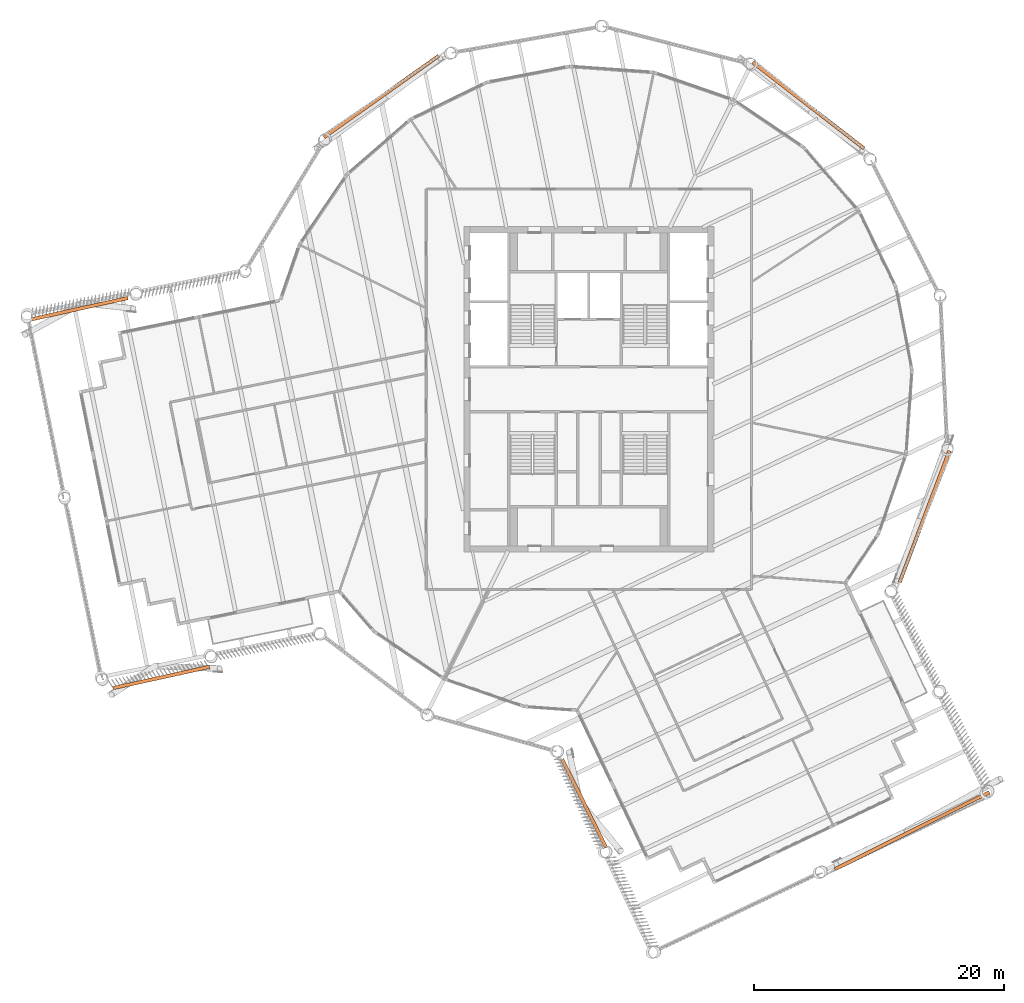
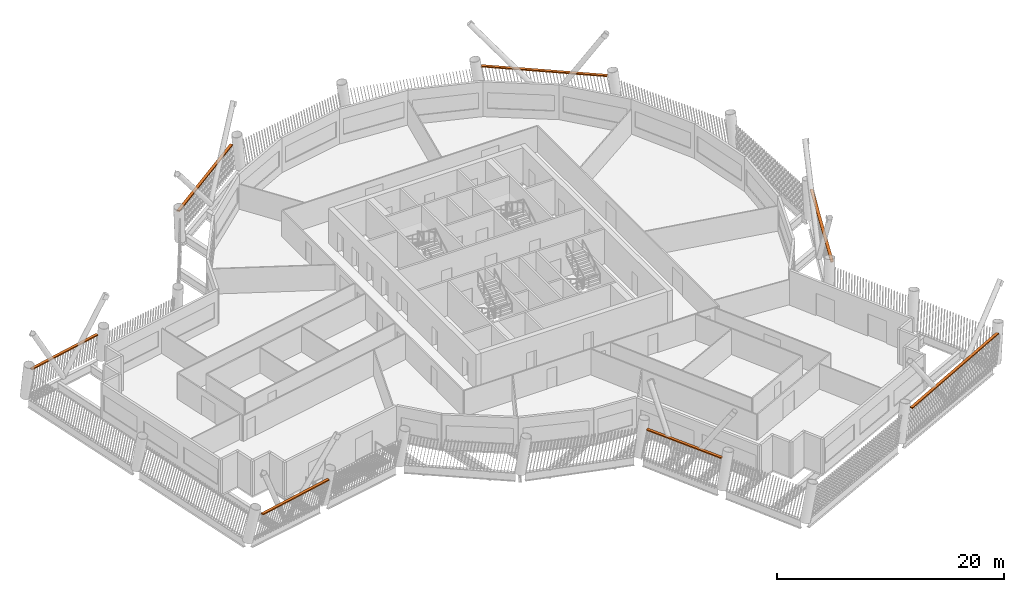
# One storey, part 21 of 21: 7 proxies.
"""IFC4 building model written with IfcOpenShell, lengths in metres."""

import ifcopenshell
import ifcopenshell.guid

model = None  # the IFC model being written
_history = None  # IfcOwnerHistory: only IFC2X3 demands one
_inside = {}  # id of a spatial element -> (the spatial element, [elements in it])
_under = {}  # id of a project, library or spatial element -> (it, [spatial elements below it])
_declared = {}  # id of a project -> (the project, [libraries it declares])
_typed = {}  # id of a type object -> (the type object, [elements of that type])
_made_of = {}  # id of a material, layer set ... -> (it, [elements and type objects made of it])


def new_model(schema):
    """Start an empty IFC model of exactly this schema.

    Asked for "IFC4X3", IfcOpenShell would pick the latest addendum, in which some entities
    have other attributes; the version numbers below select the first issue.
    IFC2X3 requires an IfcOwnerHistory on every rooted entity: one is made here for all.
    """
    global model, _history
    if schema == "IFC4X3":
        model = ifcopenshell.file(schema_version=(4, 3, 0, 0))
    else:
        model = ifcopenshell.file(schema=schema)
    _inside.clear()
    _under.clear()
    _declared.clear()
    _typed.clear()
    _made_of.clear()
    _history = None
    if model.schema == "IFC2X3":
        org = make("IfcOrganization", Name="unknown")
        user = make(
            "IfcPersonAndOrganization",
            ThePerson=make("IfcPerson", FamilyName="unknown"),
            TheOrganization=org,
        )
        app = make(
            "IfcApplication",
            ApplicationDeveloper=org,
            Version="unknown",
            ApplicationFullName="unknown",
            ApplicationIdentifier="unknown",
        )
        _history = make(
            "IfcOwnerHistory",
            OwningUser=user,
            OwningApplication=app,
            ChangeAction="ADDED",
            CreationDate=0,
        )
    return model


def make(cls, **values):
    """One entity of the class cls with the attributes given. An attribute that is None is left unset."""
    return model.create_entity(
        cls, **{name: value for name, value in values.items() if value is not None}
    )


def rooted(cls, **values):
    """An entity with a GlobalId (a new one), such as an element, a storey or a relation."""
    return make(cls, GlobalId=ifcopenshell.guid.new(), OwnerHistory=_history, **values)


def si_unit(unit_type, name, prefix=None):
    """IfcSIUnit, for example si_unit("LENGTHUNIT", "METRE", prefix="MILLI")."""
    return make("IfcSIUnit", UnitType=unit_type, Prefix=prefix, Name=name)


def assignment(units):
    """IfcUnitAssignment: the units of a project."""
    return None if units is None else make("IfcUnitAssignment", Units=units)


def point(xyz):
    """IfcCartesianPoint."""
    return None if xyz is None else make("IfcCartesianPoint", Coordinates=xyz)


def direction(xyz):
    """IfcDirection."""
    return None if xyz is None else make("IfcDirection", DirectionRatios=xyz)


def frame(location, z_axis=None, x_axis=None):
    """IfcAxis2Placement3D, a coordinate frame: its origin and axes. An axis left out is left unset."""
    return make(
        "IfcAxis2Placement3D",
        Location=point(location),
        Axis=direction(z_axis),
        RefDirection=direction(x_axis),
    )


def frame_2d(location, x_axis=None):
    """IfcAxis2Placement2D, a coordinate frame in the plane: its origin and x axis."""
    return make(
        "IfcAxis2Placement2D", Location=point(location), RefDirection=direction(x_axis)
    )


def origin():
    """The frame at (0, 0, 0) with its axes left unset."""
    return frame((0.0, 0.0, 0.0))


def origin_2d():
    """The frame at (0, 0) in the plane with its x axis left unset."""
    return frame_2d((0.0, 0.0))


def place(relative_to, where):
    """IfcLocalPlacement: puts the frame where relative to a parent placement (None: the world)."""
    return make(
        "IfcLocalPlacement", PlacementRelTo=relative_to, RelativePlacement=where
    )


def context(
    kind, dimensions, precision=None, world=None, true_north=None, identifier=None
):
    """IfcGeometricRepresentationContext, for example the 3D "Model" context."""
    return make(
        "IfcGeometricRepresentationContext",
        ContextIdentifier=identifier,
        ContextType=kind,
        CoordinateSpaceDimension=dimensions,
        Precision=precision,
        WorldCoordinateSystem=world,
        TrueNorth=true_north,
    )


def subcontext(parent, identifier, kind, view, scale=None):
    """IfcGeometricRepresentationSubContext, for example "Body" below "Model"."""
    return make(
        "IfcGeometricRepresentationSubContext",
        ContextIdentifier=identifier,
        ContextType=kind,
        ParentContext=parent,
        TargetScale=scale,
        TargetView=view,
    )


def project(units=None, contexts=None):
    """IfcProject with its units and contexts."""
    return rooted(
        "IfcProject",
        Name="project",
        RepresentationContexts=contexts,
        UnitsInContext=assignment(units),
    )


def spatial(cls, under=None, at=None, **own):
    """A site, building, storey or space (cls), placed at a placement, below another one or the project."""
    s = rooted(cls, ObjectPlacement=at, **own)
    if under is not None:
        _under.setdefault(under.id(), (under, []))[1].append(s)
    return s


def profile(cls, at=None, kind="AREA", **sizes):
    """A parametric profile (cls). Its sizes go by their IFC names, for example OverallWidth=200.0."""
    return make(cls, ProfileType=kind, Position=at, **sizes)


def rectangle(**sizes):
    """IfcRectangleProfileDef."""
    return profile("IfcRectangleProfileDef", **sizes)


def extrude(swept, where, along, depth):
    """IfcExtrudedAreaSolid: the profile swept, set in the frame where, extruded along a direction by depth."""
    return make(
        "IfcExtrudedAreaSolid",
        SweptArea=swept,
        Position=where,
        ExtrudedDirection=direction(along),
        Depth=depth,
    )


def shape(context_of_items, identifier, shape_type, items):
    """IfcShapeRepresentation: the items that make up one representation, for example the "Body"."""
    return make(
        "IfcShapeRepresentation",
        ContextOfItems=context_of_items,
        RepresentationIdentifier=identifier,
        RepresentationType=shape_type,
        Items=items,
    )


def material(Name=None, Category=None):
    """IfcMaterial."""
    return make("IfcMaterial", Name=Name, Category=Category)


def made_of(thing, what):
    """Note that an element or type object is made of a material, layer set ...; save() writes the relation."""
    if what is not None:
        _made_of.setdefault(what.id(), (what, []))[1].append(thing)
    return thing


def type_object(cls, material=None, **own):
    """A type object (cls), such as IfcWallType, which elements share."""
    return made_of(rooted(cls, **own), material)


def element(
    cls,
    number,
    at=None,
    inside=None,
    cuts=None,
    type_object=None,
    material=None,
    context=None,
    identifier="Body",
    shape_type=None,
    held_by="IfcProductDefinitionShape",
    body=None,
    shapes=None,
    **own,
):
    """One element of the class cls, such as IfcWall. Its Tag is "e" and its number.

    at: its placement. inside: the storey or other place that contains it. cuts: it is an
    opening in that element (IfcRelVoidsElement). A single representation is given by context,
    identifier, shape_type and body (its items); several are given by shapes. held_by: the class
    of the entity that holds the representations. save() writes the other relations.
    """
    e = rooted(cls, Tag="e%d" % number, ObjectPlacement=at, **own)
    if body is not None:
        shapes = [shape(context, identifier, shape_type, body)]
    if shapes is not None:
        e.Representation = make(held_by, Representations=shapes)
    if inside is not None:
        _inside.setdefault(inside.id(), (inside, []))[1].append(e)
    if cuts is not None:
        rooted(
            "IfcRelVoidsElement", RelatingBuildingElement=cuts, RelatedOpeningElement=e
        )
    if type_object is not None:
        _typed.setdefault(type_object.id(), (type_object, []))[1].append(e)
    return made_of(e, material)


def aggregate(whole, parts):
    """IfcRelAggregates: a whole, such as a stair, and the parts it consists of."""
    return rooted("IfcRelAggregates", RelatingObject=whole, RelatedObjects=parts)


def save(model, path):
    """Write the relations noted so far, then the file.

    IfcRelAggregates (storeys below a building ...), IfcRelContainedInSpatialStructure (elements
    in a storey), IfcRelDefinesByType, IfcRelAssociatesMaterial and IfcRelDeclares: one each for
    every whole, place, type object, material and project.
    """
    for whole, parts in _under.values():
        aggregate(whole, parts)
    for where, things in _inside.values():
        rooted(
            "IfcRelContainedInSpatialStructure",
            RelatedElements=things,
            RelatingStructure=where,
        )
    for kind, things in _typed.values():
        rooted("IfcRelDefinesByType", RelatedObjects=things, RelatingType=kind)
    for what, things in _made_of.values():
        rooted("IfcRelAssociatesMaterial", RelatedObjects=things, RelatingMaterial=what)
    for by, libraries in _declared.values():
        rooted("IfcRelDeclares", RelatingContext=by, RelatedDefinitions=libraries)
    model.write(path)


model = new_model("IFC4")

# Units and contexts
model_context = context("Model", 3, precision=1e-05, world=origin(), true_north=direction((0.0, 1.0)))
body_context = subcontext(model_context, "Body", "Model", "MODEL_VIEW")
ifc_project = project(units=[si_unit("LENGTHUNIT", "METRE"), si_unit("AREAUNIT", "SQUARE_METRE"), si_unit("VOLUMEUNIT", "CUBIC_METRE"), si_unit("PLANEANGLEUNIT", "RADIAN"), si_unit("MASSUNIT", "GRAM", prefix="KILO")], contexts=[model_context])

# Site, building, storey
site_placement = place(None, origin())
site = spatial("IfcSite", under=ifc_project, at=site_placement, CompositionType="ELEMENT")
building_placement = place(site_placement, origin())
building = spatial("IfcBuilding", under=site, at=building_placement, Name="Tarsis Ring Headquarters", CompositionType="ELEMENT")
storey_placement = place(building_placement, frame((0.0, 0.0, 331.39990234375)))
storey = spatial("IfcBuildingStorey", under=building, at=storey_placement, Name="L78", CompositionType="ELEMENT", Elevation=331.39990234375)

# Proxies
ifc_material = material(Name="Structural steel S355", Category="steel")
building_element_proxy_type = type_object("IfcBuildingElementProxyType", Name="Screen bracket plate", PredefinedType="USERDEFINED", material=ifc_material)
proxy_1_placement = place(storey_placement, frame((-0.381591796875, -33.088134765625, 2.9677734375), z_axis=(0.0, 0.0, 1.0), x_axis=(0.445885394908, -0.895090059495, 0.0)))
element("IfcBuildingElementProxy", 1, at=proxy_1_placement, inside=storey, type_object=building_element_proxy_type, Name="Screen bracket L78-01", ObjectType="Bracket", PredefinedType="USERDEFINED", context=body_context, shape_type="SweptSolid", body=[
    extrude(rectangle(XDim=7.90234375, YDim=0.280029296875, at=origin_2d()), origin(), (0.0, 0.0, 1.0), 0.1201171875),
])
proxy_2_placement = place(storey_placement, frame((25.839111328125, -35.2744140625, 2.9677734375), z_axis=(0.0, 0.0, 1.0), x_axis=(0.895090082842, 0.445885348041, 0.0)))
element("IfcBuildingElementProxy", 2, at=proxy_2_placement, inside=storey, type_object=building_element_proxy_type, Name="Screen bracket L78-04", ObjectType="Bracket", PredefinedType="USERDEFINED", context=body_context, shape_type="SweptSolid", body=[
    extrude(rectangle(XDim=13.800048828125, YDim=0.280029296875, at=origin_2d()), origin(), (0.0, 0.0, 1.0), 0.1201171875),
])
for number, where, z_axis, x_axis, name in (
    (3, (26.8349609375, -10.150146484375, 2.9677734375), (0.0, 0.0, 1.0), (0.353780507427, 0.935328473086, 0.0), "Screen bracket L78-07"),
    (4, (17.54150390625, 22.703369140625, 2.9677734375), (0.0, 0.0, 1.0), (-0.79131697792, 0.611406117451, 0.0), "Screen bracket L78-10"),
    (5, (-16.59375, 23.405029296875, 2.9677734375), (0.0, 0.0, 1.0), (-0.815772048807, -0.578373550904, 0.0), "Screen bracket L78-13"),
):
    element("IfcBuildingElementProxy", number, at=place(storey_placement, frame(where, z_axis=z_axis, x_axis=x_axis)), inside=storey, type_object=building_element_proxy_type, Name=name, ObjectType="Bracket", PredefinedType="USERDEFINED", context=body_context, shape_type="SweptSolid", body=[
        extrude(rectangle(XDim=11.248779296875, YDim=0.280029296875, at=origin_2d()), origin(), (0.0, 0.0, 1.0), 0.1201171875),
    ])
for number, where, z_axis, x_axis, name in (
    (6, (-40.704833984375, 6.451171875, 2.9677734375), (0.0, 0.0, 1.0), (-0.976371503089, -0.216098792122, 0.0), "Screen bracket L78-16"),
    (7, (-34.1806640625, -23.025390625, 2.9677734375), (0.0, 0.0, 1.0), (0.976371499317, 0.216098809163, 0.0), "Screen bracket L78-19"),
):
    element("IfcBuildingElementProxy", number, at=place(storey_placement, frame(where, z_axis=z_axis, x_axis=x_axis)), inside=storey, type_object=building_element_proxy_type, Name=name, ObjectType="Bracket", PredefinedType="USERDEFINED", context=body_context, shape_type="SweptSolid", body=[
        extrude(rectangle(XDim=7.90234375, YDim=0.280029296875, at=origin_2d()), origin(), (0.0, 0.0, 1.0), 0.1201171875),
    ])

save(model, "model.ifc")
